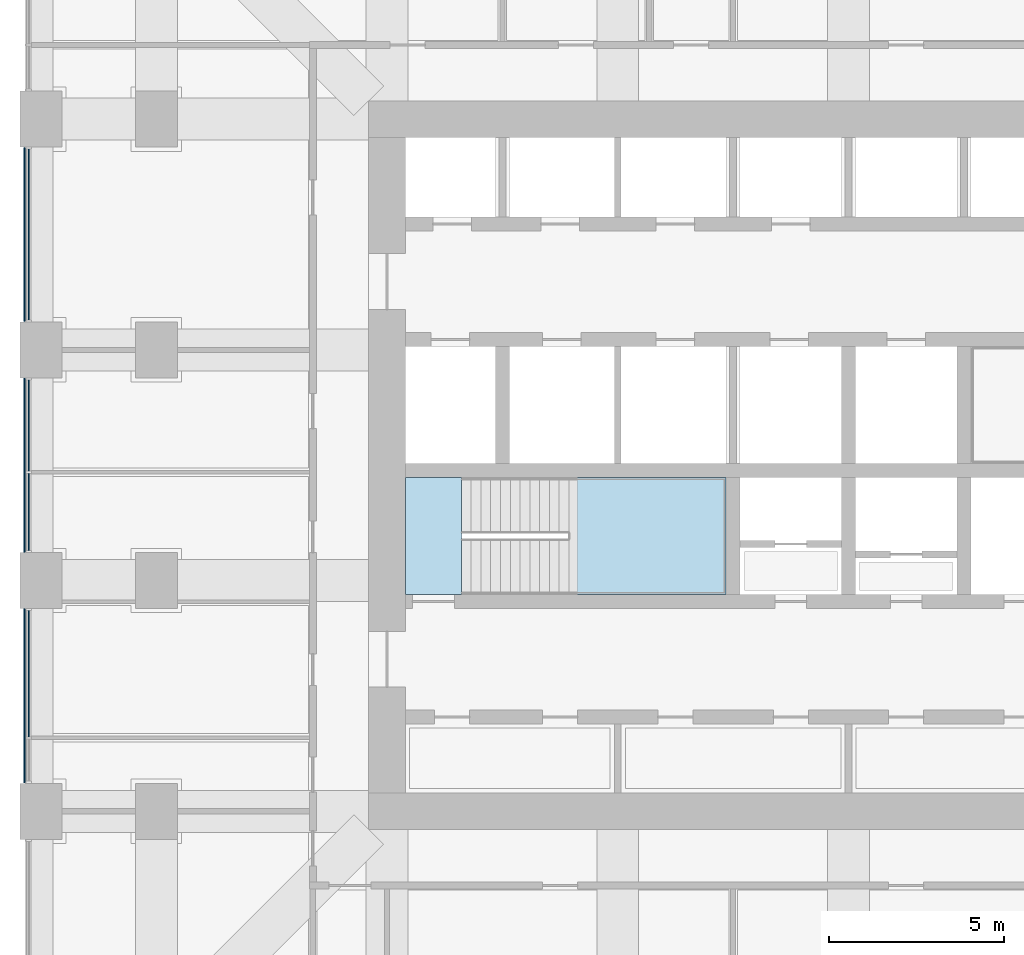
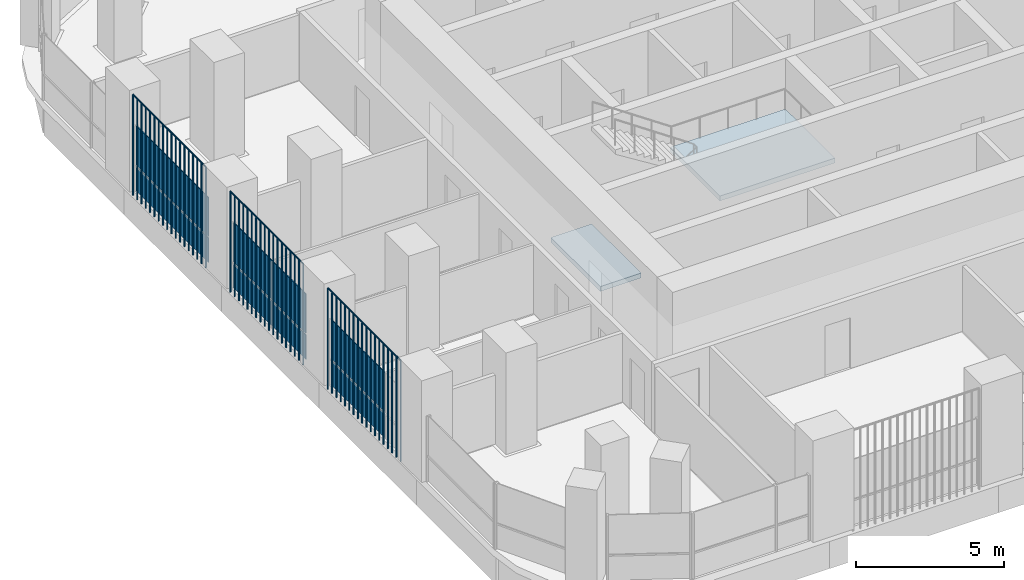
# One storey, part 9 of 20: 11 plates, 2 slabs, 4 elements without a shape of their own.
"""IFC4 building model written with IfcOpenShell, lengths in metres."""

from ifc_helpers import new_model, si_unit, direction, frame, origin, origin_2d, place, context, subcontext, project, spatial, polyline, rectangle, outline, extrude, material, layer, layer_set, type_object, element, aggregate, save


model = new_model("IFC4")

# Units and contexts
model_context = context("Model", 3, precision=1e-05, world=origin(), true_north=direction((0.0, 1.0)))
body_context = subcontext(model_context, "Body", "Model", "MODEL_VIEW")
ifc_project = project(units=[si_unit("LENGTHUNIT", "METRE"), si_unit("AREAUNIT", "SQUARE_METRE"), si_unit("VOLUMEUNIT", "CUBIC_METRE"), si_unit("PLANEANGLEUNIT", "RADIAN"), si_unit("MASSUNIT", "GRAM", prefix="KILO")], contexts=[model_context])

# Site, building, storey
site_placement = place(None, origin())
site = spatial("IfcSite", under=ifc_project, at=site_placement, CompositionType="ELEMENT")
building_placement = place(site_placement, origin())
building = spatial("IfcBuilding", under=site, at=building_placement, Name="Cobogo Forest Laboratory Tower", CompositionType="ELEMENT")
storey_placement = place(building_placement, frame((0.0, 0.0, 180.89990234375)))
storey = spatial("IfcBuildingStorey", under=building, at=storey_placement, Name="L41", CompositionType="ELEMENT", Elevation=180.89990234375)

# Curtain wall, plates
ifc_material_1 = material(Name="Aluminium curtain wall", Category="aluminium")
curtain_wall_type = type_object("IfcCurtainWallType", Name="CW-2 unitised curtain wall, solar control glazing, laboratory floors zones C and D", PredefinedType="USERDEFINED", material=ifc_material_1)
curtain_wall_1_placement = place(storey_placement, origin())
curtain_wall_1 = element("IfcCurtainWall", 1, at=curtain_wall_1_placement, inside=storey, type_object=curtain_wall_type, Name="Curtain wall 25 L41", ObjectType="UNITISED CURTAIN WALL", PredefinedType="USERDEFINED")
ifc_material_2 = material(Name="Solar control insulated glass", Category="glass")
ifc_layer_1 = layer(ifc_material_2, 0.031982421875)
ifc_layer_set_1 = layer_set([ifc_layer_1], Name="GP-2 solar control glass unit 32")
plate_type_1 = type_object("IfcPlateType", Name="GP-2 solar control glass unit 32", PredefinedType="CURTAIN_PANEL", material=ifc_layer_set_1)
plate_1_placement = place(storey_placement, frame((2.949951171875, 29.699951171875, 0.0), z_axis=(0.0, 0.0, 1.0), x_axis=(0.0, -1.0, 0.0)))
plate_1 = element("IfcPlate", 2, at=plate_1_placement, type_object=plate_type_1, Name="CW-2 panel 1.1", PredefinedType="CURTAIN_PANEL", context=body_context, shape_type="SweptSolid", body=[
    extrude(rectangle(XDim=4.8798828125, YDim=0.031982421875, at=origin_2d()), origin(), (0.0, 0.0, 1.0), 1.02001953125),
])
plate_2_placement = place(storey_placement, frame((2.949951171875, 29.699951171875, 1.080078125), z_axis=(0.0, 0.0, 1.0), x_axis=(0.0, -1.0, 0.0)))
plate_2 = element("IfcPlate", 3, at=plate_2_placement, type_object=plate_type_1, Name="CW-2 panel 1.2", PredefinedType="CURTAIN_PANEL", context=body_context, shape_type="SweptSolid", body=[
    extrude(rectangle(XDim=4.8798828125, YDim=0.031982421875, at=origin_2d()), origin(), (0.0, 0.0, 1.0), 1.6201171875),
])
aggregate(curtain_wall_1, [plate_1, plate_2])

curtain_wall_2_placement = place(storey_placement, origin())
curtain_wall_2 = element("IfcCurtainWall", 4, at=curtain_wall_2_placement, inside=storey, type_object=curtain_wall_type, Name="Curtain wall 26 L41", ObjectType="UNITISED CURTAIN WALL", PredefinedType="USERDEFINED")
plate_3_placement = place(storey_placement, frame((2.949951171875, 24.235107421875, 0.0), z_axis=(0.0, 0.0, 1.0), x_axis=(0.0, -1.0, 0.0)))
plate_3 = element("IfcPlate", 5, at=plate_3_placement, type_object=plate_type_1, Name="CW-2 panel 1.1", PredefinedType="CURTAIN_PANEL", context=body_context, shape_type="SweptSolid", body=[
    extrude(rectangle(XDim=2.610107421875, YDim=0.031982421875, at=origin_2d()), origin(), (0.0, 0.0, 1.0), 1.02001953125),
])
plate_4_placement = place(storey_placement, frame((2.949951171875, 24.235107421875, 1.080078125), z_axis=(0.0, 0.0, 1.0), x_axis=(0.0, -1.0, 0.0)))
plate_4 = element("IfcPlate", 6, at=plate_4_placement, type_object=plate_type_1, Name="CW-2 panel 1.2", PredefinedType="CURTAIN_PANEL", context=body_context, shape_type="SweptSolid", body=[
    extrude(rectangle(XDim=2.610107421875, YDim=0.031982421875, at=origin_2d()), origin(), (0.0, 0.0, 1.0), 1.6201171875),
])
plate_5_placement = place(storey_placement, frame((2.949951171875, 21.764892578125, 0.0), z_axis=(0.0, 0.0, 1.0), x_axis=(0.0, -1.0, 0.0)))
plate_5 = element("IfcPlate", 7, at=plate_5_placement, type_object=plate_type_1, Name="CW-2 panel 2.1", PredefinedType="CURTAIN_PANEL", context=body_context, shape_type="SweptSolid", body=[
    extrude(rectangle(XDim=2.2099609375, YDim=0.031982421875, at=origin_2d()), origin(), (0.0, 0.0, 1.0), 1.02001953125),
])
plate_6_placement = place(storey_placement, frame((2.949951171875, 21.764892578125, 1.080078125), z_axis=(0.0, 0.0, 1.0), x_axis=(0.0, -1.0, 0.0)))
plate_6 = element("IfcPlate", 8, at=plate_6_placement, type_object=plate_type_1, Name="CW-2 panel 2.2", PredefinedType="CURTAIN_PANEL", context=body_context, shape_type="SweptSolid", body=[
    extrude(rectangle(XDim=2.2099609375, YDim=0.031982421875, at=origin_2d()), origin(), (0.0, 0.0, 1.0), 1.6201171875),
])
aggregate(curtain_wall_2, [plate_3, plate_4, plate_5, plate_6])

curtain_wall_3_placement = place(storey_placement, origin())
curtain_wall_3 = element("IfcCurtainWall", 9, at=curtain_wall_3_placement, inside=storey, type_object=curtain_wall_type, Name="Curtain wall 27 L41", ObjectType="UNITISED CURTAIN WALL", PredefinedType="USERDEFINED")
plate_7_placement = place(storey_placement, frame((2.949951171875, 17.135009765625, 0.0), z_axis=(0.0, 0.0, 1.0), x_axis=(0.0, -1.0, 0.0)))
plate_7 = element("IfcPlate", 10, at=plate_7_placement, type_object=plate_type_1, Name="CW-2 panel 1.1", PredefinedType="CURTAIN_PANEL", context=body_context, shape_type="SweptSolid", body=[
    extrude(rectangle(XDim=3.610107421875, YDim=0.031982421875, at=origin_2d()), origin(), (0.0, 0.0, 1.0), 1.02001953125),
])
plate_8_placement = place(storey_placement, frame((2.949951171875, 17.135009765625, 1.080078125), z_axis=(0.0, 0.0, 1.0), x_axis=(0.0, -1.0, 0.0)))
plate_8 = element("IfcPlate", 11, at=plate_8_placement, type_object=plate_type_1, Name="CW-2 panel 1.2", PredefinedType="CURTAIN_PANEL", context=body_context, shape_type="SweptSolid", body=[
    extrude(rectangle(XDim=3.610107421875, YDim=0.031982421875, at=origin_2d()), origin(), (0.0, 0.0, 1.0), 1.6201171875),
])
aggregate(curtain_wall_3, [plate_7, plate_8])

# Stair, slabs
ifc_material_3 = material(Name="Precast concrete HA-40 (C40/50)", Category="concrete")
stair_type = type_object("IfcStairType", Name="ST24 exit stair 24 risers", PredefinedType="HALF_TURN_STAIR", material=ifc_material_3)
stair_placement = place(storey_placement, origin())
stair = element("IfcStair", 12, at=stair_placement, inside=storey, type_object=stair_type, Name="Stair 1 L41 to L42", PredefinedType="HALF_TURN_STAIR")
ifc_material_4 = material(Name="Concrete HA-40 (C40/50)", Category="concrete")
ifc_layer_2 = layer(ifc_material_4, 0.199951171875)
ifc_layer_set_2 = layer_set([ifc_layer_2], Name="SL stair landing 200")
slab_type = type_object("IfcSlabType", Name="SL stair landing 200", PredefinedType="LANDING", material=ifc_layer_set_2)
slab_1_placement = place(storey_placement, frame((0.0, 0.0, -0.199951171875)))
slab_1 = element("IfcSlab", 13, at=slab_1_placement, type_object=slab_type, Name="ST1 landing 1", PredefinedType="LANDING", context=body_context, shape_type="SweptSolid", body=[
    extrude(outline(polyline([(13.72509765625, 19.39990234375), (15.326904296875, 19.39990234375), (15.326904296875, 22.75), (13.72509765625, 22.75), (13.72509765625, 19.39990234375)])), origin(), (0.0, 0.0, 1.0), 0.199951171875),
])
slab_2_placement = place(storey_placement, frame((0.0, 0.0, 1.900146484375)))
slab_2 = element("IfcSlab", 14, at=slab_2_placement, type_object=slab_type, Name="ST1 landing 2", PredefinedType="LANDING", context=body_context, shape_type="SweptSolid", body=[
    extrude(outline(polyline([(18.403076171875, 19.39990234375), (22.89990234375, 19.39990234375), (22.89990234375, 22.75), (18.403076171875, 22.75), (18.403076171875, 19.39990234375)])), origin(), (0.0, 0.0, 1.0), 0.199951171875),
])
aggregate(stair, [slab_1, slab_2])

# Plates
ifc_material_5 = material(Name="Terracotta", Category="masonry")
plate_type_2 = type_object("IfcPlateType", Name="TB1 terracotta baguette screen", PredefinedType="USERDEFINED", material=ifc_material_5)
plate_9_placement = place(storey_placement, frame((2.822021484375, 14.03125, -0.14990234375)))
element("IfcPlate", 15, at=plate_9_placement, inside=storey, type_object=plate_type_2, Name="Baguette screen W1 L41", ObjectType="BAGUETTE SCREEN", PredefinedType="USERDEFINED", context=body_context, shape_type="SweptSolid", body=[
    extrude(outline(polyline([(0.02880859375, 0.011962890625), (0.011962890625, 0.02880859375), (-0.011962890625, 0.02880859375), (-0.02880859375, 0.011962890625), (-0.02880859375, -0.011962890625), (-0.011962890625, -0.02880859375), (0.011962890625, -0.02880859375), (0.02880859375, -0.011962890625), (0.02880859375, 0.011962890625)])), frame((0.0, 0.0, 4.168701171875), z_axis=(0.0, 1.0, 0.0), x_axis=(-1.0, 0.0, 0.0)), (0.0, 0.0, 1.0), 4.9375),
    extrude(outline(polyline([(0.02880859375, 0.011962890625), (0.011962890625, 0.02880859375), (-0.011962890625, 0.02880859375), (-0.02880859375, 0.011962890625), (-0.02880859375, -0.011962890625), (-0.011962890625, -0.02880859375), (0.011962890625, -0.02880859375), (0.02880859375, -0.011962890625), (0.02880859375, 0.011962890625)])), origin(), (0.0, 0.0, 1.0), 4.137451171875),
    extrude(outline(polyline([(0.02880859375, 0.011962890625), (0.011962890625, 0.02880859375), (-0.011962890625, 0.02880859375), (-0.02880859375, 0.011962890625), (-0.02880859375, -0.011962890625), (-0.011962890625, -0.02880859375), (0.011962890625, -0.02880859375), (0.02880859375, -0.011962890625), (0.02880859375, 0.011962890625)])), frame((0.0, 0.29052734375, 0.0)), (0.0, 0.0, 1.0), 4.137451171875),
    extrude(outline(polyline([(0.02880859375, 0.011962890625), (0.011962890625, 0.02880859375), (-0.011962890625, 0.02880859375), (-0.02880859375, 0.011962890625), (-0.02880859375, -0.011962890625), (-0.011962890625, -0.02880859375), (0.011962890625, -0.02880859375), (0.02880859375, -0.011962890625), (0.02880859375, 0.011962890625)])), frame((0.0, 0.580810546875, 0.0)), (0.0, 0.0, 1.0), 4.137451171875),
    extrude(outline(polyline([(0.02880859375, 0.011962890625), (0.011962890625, 0.02880859375), (-0.011962890625, 0.02880859375), (-0.02880859375, 0.011962890625), (-0.02880859375, -0.011962890625), (-0.011962890625, -0.02880859375), (0.011962890625, -0.02880859375), (0.02880859375, -0.011962890625), (0.02880859375, 0.011962890625)])), frame((0.0, 0.871337890625, 0.0)), (0.0, 0.0, 1.0), 4.137451171875),
    extrude(outline(polyline([(0.02880859375, 0.011962890625), (0.011962890625, 0.02880859375), (-0.011962890625, 0.02880859375), (-0.02880859375, 0.011962890625), (-0.02880859375, -0.011962890625), (-0.011962890625, -0.02880859375), (0.011962890625, -0.02880859375), (0.02880859375, -0.011962890625), (0.02880859375, 0.011962890625)])), frame((0.0, 1.161865234375, 0.0)), (0.0, 0.0, 1.0), 4.137451171875),
    extrude(outline(polyline([(0.02880859375, 0.011962890625), (0.011962890625, 0.02880859375), (-0.011962890625, 0.02880859375), (-0.02880859375, 0.011962890625), (-0.02880859375, -0.011962890625), (-0.011962890625, -0.02880859375), (0.011962890625, -0.02880859375), (0.02880859375, -0.011962890625), (0.02880859375, 0.011962890625)])), frame((0.0, 1.4521484375, 0.0)), (0.0, 0.0, 1.0), 4.137451171875),
    extrude(outline(polyline([(0.02880859375, 0.011962890625), (0.011962890625, 0.02880859375), (-0.011962890625, 0.02880859375), (-0.02880859375, 0.011962890625), (-0.02880859375, -0.011962890625), (-0.011962890625, -0.02880859375), (0.011962890625, -0.02880859375), (0.02880859375, -0.011962890625), (0.02880859375, 0.011962890625)])), frame((0.0, 1.74267578125, 0.0)), (0.0, 0.0, 1.0), 4.137451171875),
    extrude(outline(polyline([(0.02880859375, 0.011962890625), (0.011962890625, 0.02880859375), (-0.011962890625, 0.02880859375), (-0.02880859375, 0.011962890625), (-0.02880859375, -0.011962890625), (-0.011962890625, -0.02880859375), (0.011962890625, -0.02880859375), (0.02880859375, -0.011962890625), (0.02880859375, 0.011962890625)])), frame((0.0, 2.033203125, 0.0)), (0.0, 0.0, 1.0), 4.137451171875),
    extrude(outline(polyline([(0.02880859375, 0.011962890625), (0.011962890625, 0.02880859375), (-0.011962890625, 0.02880859375), (-0.02880859375, 0.011962890625), (-0.02880859375, -0.011962890625), (-0.011962890625, -0.02880859375), (0.011962890625, -0.02880859375), (0.02880859375, -0.011962890625), (0.02880859375, 0.011962890625)])), frame((0.0, 2.323486328125, 0.0)), (0.0, 0.0, 1.0), 4.137451171875),
    extrude(outline(polyline([(0.02880859375, 0.011962890625), (0.011962890625, 0.02880859375), (-0.011962890625, 0.02880859375), (-0.02880859375, 0.011962890625), (-0.02880859375, -0.011962890625), (-0.011962890625, -0.02880859375), (0.011962890625, -0.02880859375), (0.02880859375, -0.011962890625), (0.02880859375, 0.011962890625)])), frame((0.0, 2.614013671875, 0.0)), (0.0, 0.0, 1.0), 4.137451171875),
    extrude(outline(polyline([(0.02880859375, 0.011962890625), (0.011962890625, 0.02880859375), (-0.011962890625, 0.02880859375), (-0.02880859375, 0.011962890625), (-0.02880859375, -0.011962890625), (-0.011962890625, -0.02880859375), (0.011962890625, -0.02880859375), (0.02880859375, -0.011962890625), (0.02880859375, 0.011962890625)])), frame((0.0, 2.904296875, 0.0)), (0.0, 0.0, 1.0), 4.137451171875),
    extrude(outline(polyline([(0.02880859375, 0.011962890625), (0.011962890625, 0.02880859375), (-0.011962890625, 0.02880859375), (-0.02880859375, 0.011962890625), (-0.02880859375, -0.011962890625), (-0.011962890625, -0.02880859375), (0.011962890625, -0.02880859375), (0.02880859375, -0.011962890625), (0.02880859375, 0.011962890625)])), frame((0.0, 3.19482421875, 0.0)), (0.0, 0.0, 1.0), 4.137451171875),
    extrude(outline(polyline([(0.02880859375, 0.011962890625), (0.011962890625, 0.02880859375), (-0.011962890625, 0.02880859375), (-0.02880859375, 0.011962890625), (-0.02880859375, -0.011962890625), (-0.011962890625, -0.02880859375), (0.011962890625, -0.02880859375), (0.02880859375, -0.011962890625), (0.02880859375, 0.011962890625)])), frame((0.0, 3.4853515625, 0.0)), (0.0, 0.0, 1.0), 4.137451171875),
    extrude(outline(polyline([(0.02880859375, 0.011962890625), (0.011962890625, 0.02880859375), (-0.011962890625, 0.02880859375), (-0.02880859375, 0.011962890625), (-0.02880859375, -0.011962890625), (-0.011962890625, -0.02880859375), (0.011962890625, -0.02880859375), (0.02880859375, -0.011962890625), (0.02880859375, 0.011962890625)])), frame((0.0, 3.775634765625, 0.0)), (0.0, 0.0, 1.0), 4.137451171875),
    extrude(outline(polyline([(0.02880859375, 0.011962890625), (0.011962890625, 0.02880859375), (-0.011962890625, 0.02880859375), (-0.02880859375, 0.011962890625), (-0.02880859375, -0.011962890625), (-0.011962890625, -0.02880859375), (0.011962890625, -0.02880859375), (0.02880859375, -0.011962890625), (0.02880859375, 0.011962890625)])), frame((0.0, 4.066162109375, 0.0)), (0.0, 0.0, 1.0), 4.137451171875),
    extrude(outline(polyline([(0.02880859375, 0.011962890625), (0.011962890625, 0.02880859375), (-0.011962890625, 0.02880859375), (-0.02880859375, 0.011962890625), (-0.02880859375, -0.011962890625), (-0.011962890625, -0.02880859375), (0.011962890625, -0.02880859375), (0.02880859375, -0.011962890625), (0.02880859375, 0.011962890625)])), frame((0.0, 4.356689453125, 0.0)), (0.0, 0.0, 1.0), 4.137451171875),
    extrude(outline(polyline([(0.02880859375, 0.011962890625), (0.011962890625, 0.02880859375), (-0.011962890625, 0.02880859375), (-0.02880859375, 0.011962890625), (-0.02880859375, -0.011962890625), (-0.011962890625, -0.02880859375), (0.011962890625, -0.02880859375), (0.02880859375, -0.011962890625), (0.02880859375, 0.011962890625)])), frame((0.0, 4.64697265625, 0.0)), (0.0, 0.0, 1.0), 4.137451171875),
    extrude(outline(polyline([(0.02880859375, 0.011962890625), (0.011962890625, 0.02880859375), (-0.011962890625, 0.02880859375), (-0.02880859375, 0.011962890625), (-0.02880859375, -0.011962890625), (-0.011962890625, -0.02880859375), (0.011962890625, -0.02880859375), (0.02880859375, -0.011962890625), (0.02880859375, 0.011962890625)])), frame((0.0, 4.9375, 0.0)), (0.0, 0.0, 1.0), 4.137451171875),
])
plate_10_placement = place(storey_placement, frame((2.822021484375, 20.63134765625, -0.14990234375)))
element("IfcPlate", 16, at=plate_10_placement, inside=storey, type_object=plate_type_2, Name="Baguette screen W2 L41", ObjectType="BAGUETTE SCREEN", PredefinedType="USERDEFINED", context=body_context, shape_type="SweptSolid", body=[
    extrude(outline(polyline([(0.02880859375, 0.011962890625), (0.011962890625, 0.02880859375), (-0.011962890625, 0.02880859375), (-0.02880859375, 0.011962890625), (-0.02880859375, -0.011962890625), (-0.011962890625, -0.02880859375), (0.011962890625, -0.02880859375), (0.02880859375, -0.011962890625), (0.02880859375, 0.011962890625)])), frame((0.0, 0.0, 4.168701171875), z_axis=(0.0, 1.0, 0.0), x_axis=(-1.0, 0.0, 0.0)), (0.0, 0.0, 1.0), 4.9375),
    extrude(outline(polyline([(0.02880859375, 0.011962890625), (0.011962890625, 0.02880859375), (-0.011962890625, 0.02880859375), (-0.02880859375, 0.011962890625), (-0.02880859375, -0.011962890625), (-0.011962890625, -0.02880859375), (0.011962890625, -0.02880859375), (0.02880859375, -0.011962890625), (0.02880859375, 0.011962890625)])), origin(), (0.0, 0.0, 1.0), 4.137451171875),
    extrude(outline(polyline([(0.02880859375, 0.011962890625), (0.011962890625, 0.02880859375), (-0.011962890625, 0.02880859375), (-0.02880859375, 0.011962890625), (-0.02880859375, -0.011962890625), (-0.011962890625, -0.02880859375), (0.011962890625, -0.02880859375), (0.02880859375, -0.011962890625), (0.02880859375, 0.011962890625)])), frame((0.0, 0.29052734375, 0.0)), (0.0, 0.0, 1.0), 4.137451171875),
    extrude(outline(polyline([(0.02880859375, 0.011962890625), (0.011962890625, 0.02880859375), (-0.011962890625, 0.02880859375), (-0.02880859375, 0.011962890625), (-0.02880859375, -0.011962890625), (-0.011962890625, -0.02880859375), (0.011962890625, -0.02880859375), (0.02880859375, -0.011962890625), (0.02880859375, 0.011962890625)])), frame((0.0, 0.580810546875, 0.0)), (0.0, 0.0, 1.0), 4.137451171875),
    extrude(outline(polyline([(0.02880859375, 0.011962890625), (0.011962890625, 0.02880859375), (-0.011962890625, 0.02880859375), (-0.02880859375, 0.011962890625), (-0.02880859375, -0.011962890625), (-0.011962890625, -0.02880859375), (0.011962890625, -0.02880859375), (0.02880859375, -0.011962890625), (0.02880859375, 0.011962890625)])), frame((0.0, 0.871337890625, 0.0)), (0.0, 0.0, 1.0), 4.137451171875),
    extrude(outline(polyline([(0.02880859375, 0.011962890625), (0.011962890625, 0.02880859375), (-0.011962890625, 0.02880859375), (-0.02880859375, 0.011962890625), (-0.02880859375, -0.011962890625), (-0.011962890625, -0.02880859375), (0.011962890625, -0.02880859375), (0.02880859375, -0.011962890625), (0.02880859375, 0.011962890625)])), frame((0.0, 1.161865234375, 0.0)), (0.0, 0.0, 1.0), 4.137451171875),
    extrude(outline(polyline([(0.02880859375, 0.011962890625), (0.011962890625, 0.02880859375), (-0.011962890625, 0.02880859375), (-0.02880859375, 0.011962890625), (-0.02880859375, -0.011962890625), (-0.011962890625, -0.02880859375), (0.011962890625, -0.02880859375), (0.02880859375, -0.011962890625), (0.02880859375, 0.011962890625)])), frame((0.0, 1.4521484375, 0.0)), (0.0, 0.0, 1.0), 4.137451171875),
    extrude(outline(polyline([(0.02880859375, 0.011962890625), (0.011962890625, 0.02880859375), (-0.011962890625, 0.02880859375), (-0.02880859375, 0.011962890625), (-0.02880859375, -0.011962890625), (-0.011962890625, -0.02880859375), (0.011962890625, -0.02880859375), (0.02880859375, -0.011962890625), (0.02880859375, 0.011962890625)])), frame((0.0, 1.74267578125, 0.0)), (0.0, 0.0, 1.0), 4.137451171875),
    extrude(outline(polyline([(0.02880859375, 0.011962890625), (0.011962890625, 0.02880859375), (-0.011962890625, 0.02880859375), (-0.02880859375, 0.011962890625), (-0.02880859375, -0.011962890625), (-0.011962890625, -0.02880859375), (0.011962890625, -0.02880859375), (0.02880859375, -0.011962890625), (0.02880859375, 0.011962890625)])), frame((0.0, 2.033203125, 0.0)), (0.0, 0.0, 1.0), 4.137451171875),
    extrude(outline(polyline([(0.02880859375, 0.011962890625), (0.011962890625, 0.02880859375), (-0.011962890625, 0.02880859375), (-0.02880859375, 0.011962890625), (-0.02880859375, -0.011962890625), (-0.011962890625, -0.02880859375), (0.011962890625, -0.02880859375), (0.02880859375, -0.011962890625), (0.02880859375, 0.011962890625)])), frame((0.0, 2.323486328125, 0.0)), (0.0, 0.0, 1.0), 4.137451171875),
    extrude(outline(polyline([(0.02880859375, 0.011962890625), (0.011962890625, 0.02880859375), (-0.011962890625, 0.02880859375), (-0.02880859375, 0.011962890625), (-0.02880859375, -0.011962890625), (-0.011962890625, -0.02880859375), (0.011962890625, -0.02880859375), (0.02880859375, -0.011962890625), (0.02880859375, 0.011962890625)])), frame((0.0, 2.614013671875, 0.0)), (0.0, 0.0, 1.0), 4.137451171875),
    extrude(outline(polyline([(0.02880859375, 0.011962890625), (0.011962890625, 0.02880859375), (-0.011962890625, 0.02880859375), (-0.02880859375, 0.011962890625), (-0.02880859375, -0.011962890625), (-0.011962890625, -0.02880859375), (0.011962890625, -0.02880859375), (0.02880859375, -0.011962890625), (0.02880859375, 0.011962890625)])), frame((0.0, 2.904296875, 0.0)), (0.0, 0.0, 1.0), 4.137451171875),
    extrude(outline(polyline([(0.02880859375, 0.011962890625), (0.011962890625, 0.02880859375), (-0.011962890625, 0.02880859375), (-0.02880859375, 0.011962890625), (-0.02880859375, -0.011962890625), (-0.011962890625, -0.02880859375), (0.011962890625, -0.02880859375), (0.02880859375, -0.011962890625), (0.02880859375, 0.011962890625)])), frame((0.0, 3.19482421875, 0.0)), (0.0, 0.0, 1.0), 4.137451171875),
    extrude(outline(polyline([(0.02880859375, 0.011962890625), (0.011962890625, 0.02880859375), (-0.011962890625, 0.02880859375), (-0.02880859375, 0.011962890625), (-0.02880859375, -0.011962890625), (-0.011962890625, -0.02880859375), (0.011962890625, -0.02880859375), (0.02880859375, -0.011962890625), (0.02880859375, 0.011962890625)])), frame((0.0, 3.4853515625, 0.0)), (0.0, 0.0, 1.0), 4.137451171875),
    extrude(outline(polyline([(0.02880859375, 0.011962890625), (0.011962890625, 0.02880859375), (-0.011962890625, 0.02880859375), (-0.02880859375, 0.011962890625), (-0.02880859375, -0.011962890625), (-0.011962890625, -0.02880859375), (0.011962890625, -0.02880859375), (0.02880859375, -0.011962890625), (0.02880859375, 0.011962890625)])), frame((0.0, 3.775634765625, 0.0)), (0.0, 0.0, 1.0), 4.137451171875),
    extrude(outline(polyline([(0.02880859375, 0.011962890625), (0.011962890625, 0.02880859375), (-0.011962890625, 0.02880859375), (-0.02880859375, 0.011962890625), (-0.02880859375, -0.011962890625), (-0.011962890625, -0.02880859375), (0.011962890625, -0.02880859375), (0.02880859375, -0.011962890625), (0.02880859375, 0.011962890625)])), frame((0.0, 4.066162109375, 0.0)), (0.0, 0.0, 1.0), 4.137451171875),
    extrude(outline(polyline([(0.02880859375, 0.011962890625), (0.011962890625, 0.02880859375), (-0.011962890625, 0.02880859375), (-0.02880859375, 0.011962890625), (-0.02880859375, -0.011962890625), (-0.011962890625, -0.02880859375), (0.011962890625, -0.02880859375), (0.02880859375, -0.011962890625), (0.02880859375, 0.011962890625)])), frame((0.0, 4.356689453125, 0.0)), (0.0, 0.0, 1.0), 4.137451171875),
    extrude(outline(polyline([(0.02880859375, 0.011962890625), (0.011962890625, 0.02880859375), (-0.011962890625, 0.02880859375), (-0.02880859375, 0.011962890625), (-0.02880859375, -0.011962890625), (-0.011962890625, -0.02880859375), (0.011962890625, -0.02880859375), (0.02880859375, -0.011962890625), (0.02880859375, 0.011962890625)])), frame((0.0, 4.64697265625, 0.0)), (0.0, 0.0, 1.0), 4.137451171875),
    extrude(outline(polyline([(0.02880859375, 0.011962890625), (0.011962890625, 0.02880859375), (-0.011962890625, 0.02880859375), (-0.02880859375, 0.011962890625), (-0.02880859375, -0.011962890625), (-0.011962890625, -0.02880859375), (0.011962890625, -0.02880859375), (0.02880859375, -0.011962890625), (0.02880859375, 0.011962890625)])), frame((0.0, 4.9375, 0.0)), (0.0, 0.0, 1.0), 4.137451171875),
])
plate_11_placement = place(storey_placement, frame((2.822021484375, 27.231201171875, -0.14990234375)))
element("IfcPlate", 17, at=plate_11_placement, inside=storey, type_object=plate_type_2, Name="Baguette screen W3 L41", ObjectType="BAGUETTE SCREEN", PredefinedType="USERDEFINED", context=body_context, shape_type="SweptSolid", body=[
    extrude(outline(polyline([(0.02880859375, 0.011962890625), (0.011962890625, 0.02880859375), (-0.011962890625, 0.02880859375), (-0.02880859375, 0.011962890625), (-0.02880859375, -0.011962890625), (-0.011962890625, -0.02880859375), (0.011962890625, -0.02880859375), (0.02880859375, -0.011962890625), (0.02880859375, 0.011962890625)])), frame((0.0, 0.0, 4.168701171875), z_axis=(0.0, 1.0, 0.0), x_axis=(-1.0, 0.0, 0.0)), (0.0, 0.0, 1.0), 4.9375),
    extrude(outline(polyline([(0.02880859375, 0.011962890625), (0.011962890625, 0.02880859375), (-0.011962890625, 0.02880859375), (-0.02880859375, 0.011962890625), (-0.02880859375, -0.011962890625), (-0.011962890625, -0.02880859375), (0.011962890625, -0.02880859375), (0.02880859375, -0.011962890625), (0.02880859375, 0.011962890625)])), origin(), (0.0, 0.0, 1.0), 4.137451171875),
    extrude(outline(polyline([(0.02880859375, 0.011962890625), (0.011962890625, 0.02880859375), (-0.011962890625, 0.02880859375), (-0.02880859375, 0.011962890625), (-0.02880859375, -0.011962890625), (-0.011962890625, -0.02880859375), (0.011962890625, -0.02880859375), (0.02880859375, -0.011962890625), (0.02880859375, 0.011962890625)])), frame((0.0, 0.29052734375, 0.0)), (0.0, 0.0, 1.0), 4.137451171875),
    extrude(outline(polyline([(0.02880859375, 0.011962890625), (0.011962890625, 0.02880859375), (-0.011962890625, 0.02880859375), (-0.02880859375, 0.011962890625), (-0.02880859375, -0.011962890625), (-0.011962890625, -0.02880859375), (0.011962890625, -0.02880859375), (0.02880859375, -0.011962890625), (0.02880859375, 0.011962890625)])), frame((0.0, 0.580810546875, 0.0)), (0.0, 0.0, 1.0), 4.137451171875),
    extrude(outline(polyline([(0.02880859375, 0.011962890625), (0.011962890625, 0.02880859375), (-0.011962890625, 0.02880859375), (-0.02880859375, 0.011962890625), (-0.02880859375, -0.011962890625), (-0.011962890625, -0.02880859375), (0.011962890625, -0.02880859375), (0.02880859375, -0.011962890625), (0.02880859375, 0.011962890625)])), frame((0.0, 0.871337890625, 0.0)), (0.0, 0.0, 1.0), 4.137451171875),
    extrude(outline(polyline([(0.02880859375, 0.011962890625), (0.011962890625, 0.02880859375), (-0.011962890625, 0.02880859375), (-0.02880859375, 0.011962890625), (-0.02880859375, -0.011962890625), (-0.011962890625, -0.02880859375), (0.011962890625, -0.02880859375), (0.02880859375, -0.011962890625), (0.02880859375, 0.011962890625)])), frame((0.0, 1.161865234375, 0.0)), (0.0, 0.0, 1.0), 4.137451171875),
    extrude(outline(polyline([(0.02880859375, 0.011962890625), (0.011962890625, 0.02880859375), (-0.011962890625, 0.02880859375), (-0.02880859375, 0.011962890625), (-0.02880859375, -0.011962890625), (-0.011962890625, -0.02880859375), (0.011962890625, -0.02880859375), (0.02880859375, -0.011962890625), (0.02880859375, 0.011962890625)])), frame((0.0, 1.4521484375, 0.0)), (0.0, 0.0, 1.0), 4.137451171875),
    extrude(outline(polyline([(0.02880859375, 0.011962890625), (0.011962890625, 0.02880859375), (-0.011962890625, 0.02880859375), (-0.02880859375, 0.011962890625), (-0.02880859375, -0.011962890625), (-0.011962890625, -0.02880859375), (0.011962890625, -0.02880859375), (0.02880859375, -0.011962890625), (0.02880859375, 0.011962890625)])), frame((0.0, 1.74267578125, 0.0)), (0.0, 0.0, 1.0), 4.137451171875),
    extrude(outline(polyline([(0.02880859375, 0.011962890625), (0.011962890625, 0.02880859375), (-0.011962890625, 0.02880859375), (-0.02880859375, 0.011962890625), (-0.02880859375, -0.011962890625), (-0.011962890625, -0.02880859375), (0.011962890625, -0.02880859375), (0.02880859375, -0.011962890625), (0.02880859375, 0.011962890625)])), frame((0.0, 2.033203125, 0.0)), (0.0, 0.0, 1.0), 4.137451171875),
    extrude(outline(polyline([(0.02880859375, 0.011962890625), (0.011962890625, 0.02880859375), (-0.011962890625, 0.02880859375), (-0.02880859375, 0.011962890625), (-0.02880859375, -0.011962890625), (-0.011962890625, -0.02880859375), (0.011962890625, -0.02880859375), (0.02880859375, -0.011962890625), (0.02880859375, 0.011962890625)])), frame((0.0, 2.323486328125, 0.0)), (0.0, 0.0, 1.0), 4.137451171875),
    extrude(outline(polyline([(0.02880859375, 0.011962890625), (0.011962890625, 0.02880859375), (-0.011962890625, 0.02880859375), (-0.02880859375, 0.011962890625), (-0.02880859375, -0.011962890625), (-0.011962890625, -0.02880859375), (0.011962890625, -0.02880859375), (0.02880859375, -0.011962890625), (0.02880859375, 0.011962890625)])), frame((0.0, 2.614013671875, 0.0)), (0.0, 0.0, 1.0), 4.137451171875),
    extrude(outline(polyline([(0.02880859375, 0.011962890625), (0.011962890625, 0.02880859375), (-0.011962890625, 0.02880859375), (-0.02880859375, 0.011962890625), (-0.02880859375, -0.011962890625), (-0.011962890625, -0.02880859375), (0.011962890625, -0.02880859375), (0.02880859375, -0.011962890625), (0.02880859375, 0.011962890625)])), frame((0.0, 2.904296875, 0.0)), (0.0, 0.0, 1.0), 4.137451171875),
    extrude(outline(polyline([(0.02880859375, 0.011962890625), (0.011962890625, 0.02880859375), (-0.011962890625, 0.02880859375), (-0.02880859375, 0.011962890625), (-0.02880859375, -0.011962890625), (-0.011962890625, -0.02880859375), (0.011962890625, -0.02880859375), (0.02880859375, -0.011962890625), (0.02880859375, 0.011962890625)])), frame((0.0, 3.19482421875, 0.0)), (0.0, 0.0, 1.0), 4.137451171875),
    extrude(outline(polyline([(0.02880859375, 0.011962890625), (0.011962890625, 0.02880859375), (-0.011962890625, 0.02880859375), (-0.02880859375, 0.011962890625), (-0.02880859375, -0.011962890625), (-0.011962890625, -0.02880859375), (0.011962890625, -0.02880859375), (0.02880859375, -0.011962890625), (0.02880859375, 0.011962890625)])), frame((0.0, 3.4853515625, 0.0)), (0.0, 0.0, 1.0), 4.137451171875),
    extrude(outline(polyline([(0.02880859375, 0.011962890625), (0.011962890625, 0.02880859375), (-0.011962890625, 0.02880859375), (-0.02880859375, 0.011962890625), (-0.02880859375, -0.011962890625), (-0.011962890625, -0.02880859375), (0.011962890625, -0.02880859375), (0.02880859375, -0.011962890625), (0.02880859375, 0.011962890625)])), frame((0.0, 3.775634765625, 0.0)), (0.0, 0.0, 1.0), 4.137451171875),
    extrude(outline(polyline([(0.02880859375, 0.011962890625), (0.011962890625, 0.02880859375), (-0.011962890625, 0.02880859375), (-0.02880859375, 0.011962890625), (-0.02880859375, -0.011962890625), (-0.011962890625, -0.02880859375), (0.011962890625, -0.02880859375), (0.02880859375, -0.011962890625), (0.02880859375, 0.011962890625)])), frame((0.0, 4.066162109375, 0.0)), (0.0, 0.0, 1.0), 4.137451171875),
    extrude(outline(polyline([(0.02880859375, 0.011962890625), (0.011962890625, 0.02880859375), (-0.011962890625, 0.02880859375), (-0.02880859375, 0.011962890625), (-0.02880859375, -0.011962890625), (-0.011962890625, -0.02880859375), (0.011962890625, -0.02880859375), (0.02880859375, -0.011962890625), (0.02880859375, 0.011962890625)])), frame((0.0, 4.356689453125, 0.0)), (0.0, 0.0, 1.0), 4.137451171875),
    extrude(outline(polyline([(0.02880859375, 0.011962890625), (0.011962890625, 0.02880859375), (-0.011962890625, 0.02880859375), (-0.02880859375, 0.011962890625), (-0.02880859375, -0.011962890625), (-0.011962890625, -0.02880859375), (0.011962890625, -0.02880859375), (0.02880859375, -0.011962890625), (0.02880859375, 0.011962890625)])), frame((0.0, 4.64697265625, 0.0)), (0.0, 0.0, 1.0), 4.137451171875),
    extrude(outline(polyline([(0.02880859375, 0.011962890625), (0.011962890625, 0.02880859375), (-0.011962890625, 0.02880859375), (-0.02880859375, 0.011962890625), (-0.02880859375, -0.011962890625), (-0.011962890625, -0.02880859375), (0.011962890625, -0.02880859375), (0.02880859375, -0.011962890625), (0.02880859375, 0.011962890625)])), frame((0.0, 4.9375, 0.0)), (0.0, 0.0, 1.0), 4.137451171875),
])

save(model, "model.ifc")
